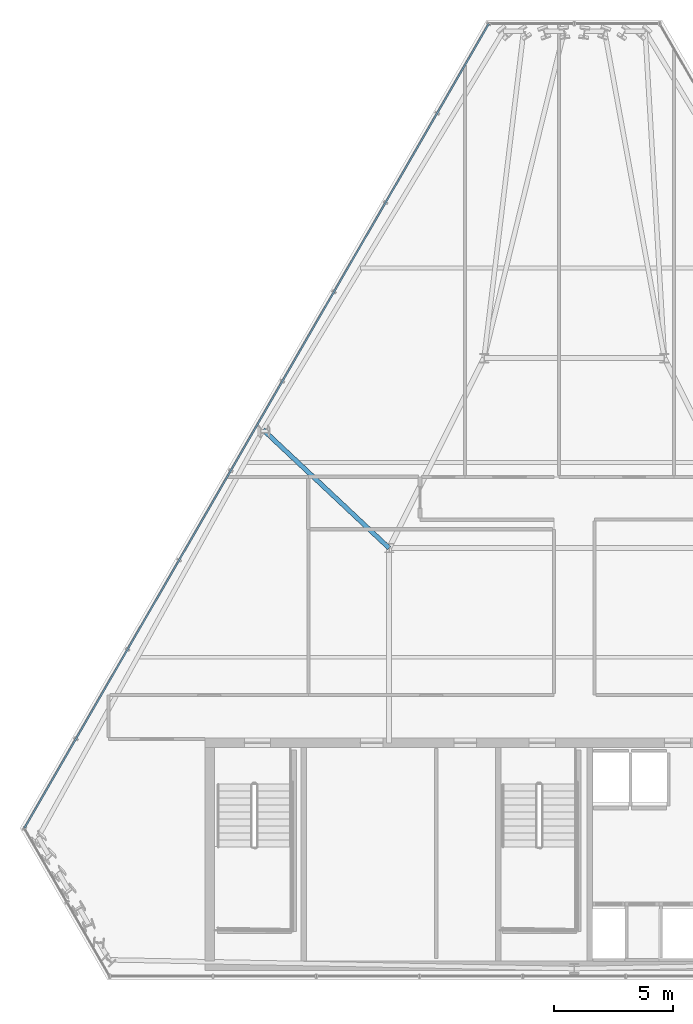
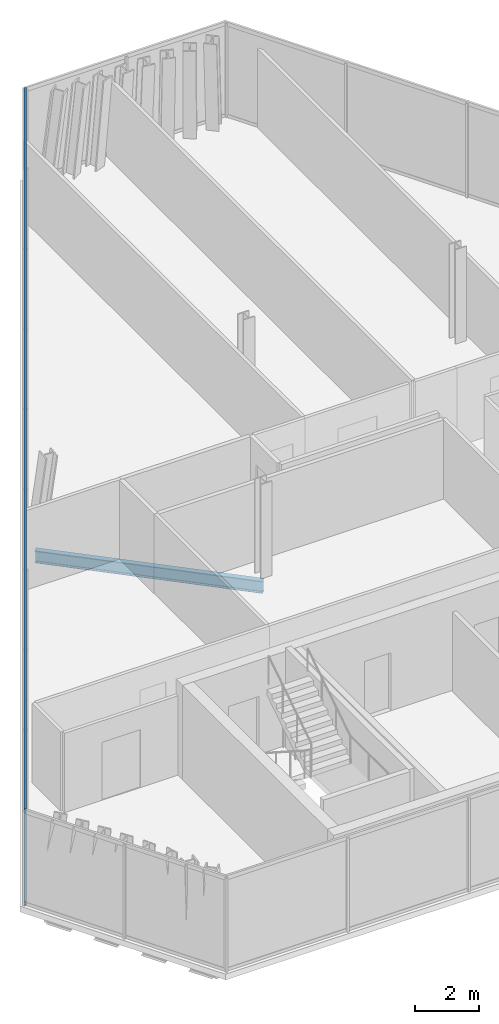
# One storey, part 11 of 29: 2 members, 1 beam, 1 element without a shape of its own.
"""IFC4 building model written with IfcOpenShell, lengths in metres."""

from ifc_helpers import new_model, si_unit, direction, frame, origin, origin_2d, place, context, subcontext, project, spatial, hollow_rectangle, i_section, extrude, material, layer, layer_set, material_profile, profile_set, type_object, element, aggregate, save


model = new_model("IFC4")

# Units and contexts
model_context = context("Model", 3, precision=1e-05, world=origin(), true_north=direction((0.0, 1.0)))
body_context = subcontext(model_context, "Body", "Model", "MODEL_VIEW")
ifc_project = project(units=[si_unit("LENGTHUNIT", "METRE"), si_unit("AREAUNIT", "SQUARE_METRE"), si_unit("VOLUMEUNIT", "CUBIC_METRE"), si_unit("PLANEANGLEUNIT", "RADIAN"), si_unit("MASSUNIT", "GRAM", prefix="KILO")], contexts=[model_context])

# Site, building, storey
site_placement = place(None, origin())
site = spatial("IfcSite", under=ifc_project, at=site_placement, CompositionType="ELEMENT")
building_placement = place(site_placement, origin())
building = spatial("IfcBuilding", under=site, at=building_placement, Name="Ndaravel Arena Tower", CompositionType="ELEMENT")
storey_placement = place(building_placement, frame((0.0, 0.0, 237.0)))
storey = spatial("IfcBuildingStorey", under=building, at=storey_placement, Name="L57", CompositionType="ELEMENT", Elevation=237.0)

# Beam
ifc_material_1 = material(Name="Steel S355", Category="steel")
ifc_material_profile_1 = material_profile(ifc_material_1, i_section(OverallWidth=0.19140625, OverallDepth=0.4599609375, WebThickness=0.010009765625, FlangeThickness=0.01611328125, FilletRadius=0.01025390625, at=origin_2d()), Name="UB 457x191x82")
ifc_profile_set_1 = profile_set([ifc_material_profile_1], Name="Steel S355")
beam_type = type_object("IfcBeamType", Name="BM-GIRD-UB457", PredefinedType="BEAM", material=ifc_profile_set_1)
beam_placement = place(storey_placement, frame((28.89306640625, 28.181884765625, -0.449951171875), z_axis=(0.729075765439, -0.684432997633, 0.0), x_axis=(0.684432997633, 0.729075765439, 0.0)))
element("IfcBeam", 1, at=beam_placement, inside=storey, type_object=beam_type, Name="L57 Radial Floor Girder FG-19", PredefinedType="BEAM", context=body_context, shape_type="SweptSolid", body=[
    extrude(i_section(OverallWidth=0.19140625, OverallDepth=0.4599609375, WebThickness=0.010009765625, FlangeThickness=0.01611328125, FilletRadius=0.01025390625, at=origin_2d()), origin(), (0.0, 0.0, 1.0), 7.27880859375),
])

# Curtain wall, members
ifc_material_2 = material(Name="Aluminium", Category="aluminium")
ifc_layer = layer(ifc_material_2, 0.179931640625)
ifc_layer_set = layer_set([ifc_layer], Name="Aluminium")
curtain_wall_type = type_object("IfcCurtainWallType", Name="CW-SYS-03", PredefinedType="NOTDEFINED", material=ifc_layer_set)
curtain_wall_placement = place(storey_placement, origin())
curtain_wall = element("IfcCurtainWall", 2, at=curtain_wall_placement, inside=storey, type_object=curtain_wall_type, Name="L57 Faceted Crystal Curtain Wall CW-L57-E05", PredefinedType="NOTDEFINED")
ifc_material_3 = material(Name="Aluminium", Category="aluminium")
ifc_material_profile_2 = material_profile(ifc_material_3, hollow_rectangle(XDim=0.074951171875, YDim=0.14990234375, WallThickness=0.00390625, at=origin_2d()), Name="CW TRANSOM 75x150x4")
ifc_profile_set_2 = profile_set([ifc_material_profile_2], Name="Aluminium")
member_type = type_object("IfcMemberType", Name="MEM-CW-TRN150", PredefinedType="USERDEFINED", material=ifc_profile_set_2)
member_1_placement = place(storey_placement, frame((38.400390625, 45.288818359375, 0.0400390625), z_axis=(-0.500000184703, -0.866025297146, 0.0), x_axis=(0.866025297146, -0.500000184703, 0.0)))
member_1 = element("IfcMember", 3, at=member_1_placement, type_object=member_type, Name="CW-L57-E05 Transom 01", ObjectType="TRANSOM", PredefinedType="USERDEFINED", context=body_context, shape_type="SweptSolid", body=[
    extrude(hollow_rectangle(XDim=0.074951171875, YDim=0.14990234375, WallThickness=0.00390625, at=origin_2d()), origin(), (0.0, 0.0, 1.0), 39.13720703125),
])
member_2_placement = place(storey_placement, frame((38.400390625, 45.288818359375, 3.5400390625), z_axis=(-0.500000184703, -0.866025297146, 0.0), x_axis=(0.866025297146, -0.500000184703, 0.0)))
member_2 = element("IfcMember", 4, at=member_2_placement, type_object=member_type, Name="CW-L57-E05 Transom 02", ObjectType="TRANSOM", PredefinedType="USERDEFINED", context=body_context, shape_type="SweptSolid", body=[
    extrude(hollow_rectangle(XDim=0.074951171875, YDim=0.14990234375, WallThickness=0.00390625, at=origin_2d()), origin(), (0.0, 0.0, 1.0), 39.13720703125),
])
aggregate(curtain_wall, [member_1, member_2])

save(model, "model.ifc")
